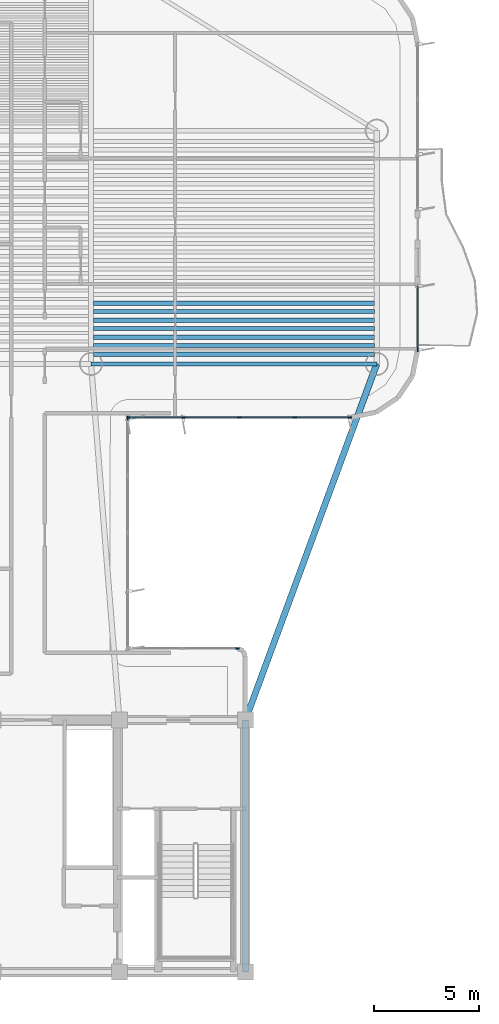
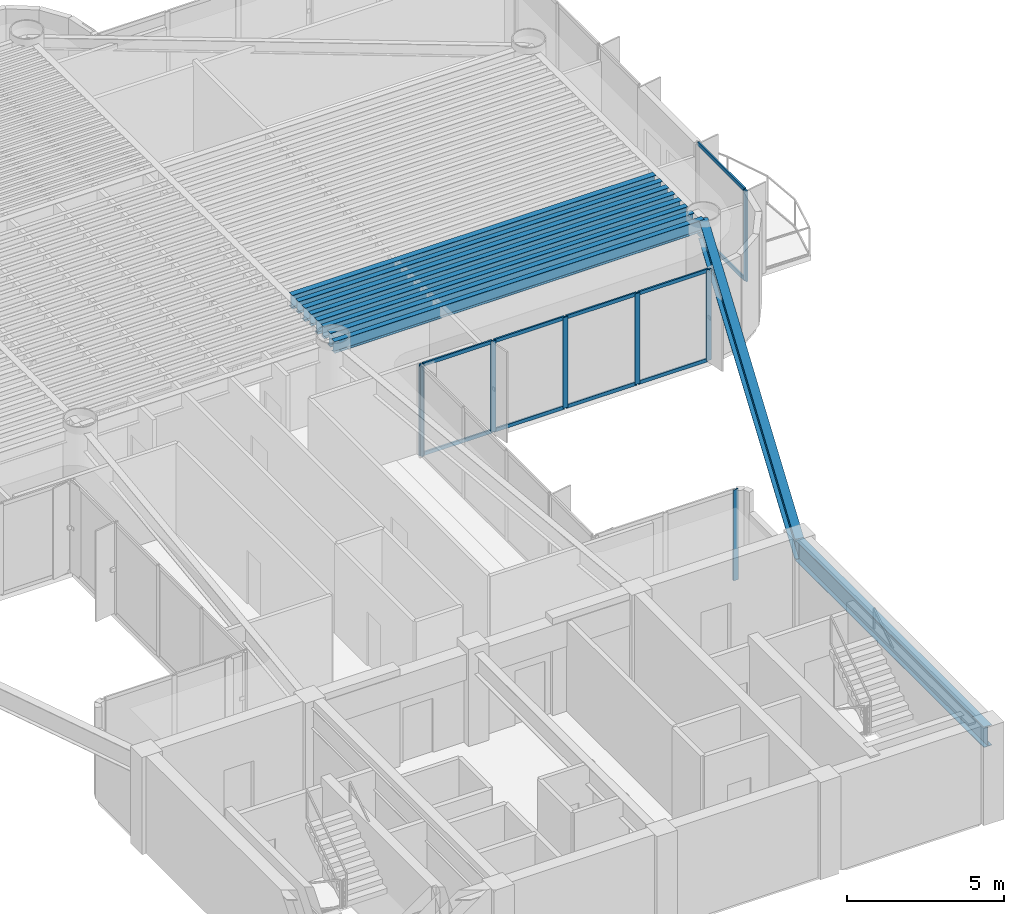
# One storey, part 4 of 15: 18 members, 10 beams, 4 elements without a shape of their own.
"""IFC4 building model written with IfcOpenShell, lengths in metres."""

from ifc_helpers import new_model, si_unit, direction, frame, origin, origin_2d, place, context, subcontext, project, spatial, rectangle, i_section, extrude, source, transform, mapped, material, layer, layer_set, material_profile, profile_set, type_object, element, aggregate, save


model = new_model("IFC4")

# Units and contexts
model_context = context("Model", 3, precision=1e-05, world=origin(), true_north=direction((0.0, 1.0)))
body_context = subcontext(model_context, "Body", "Model", "MODEL_VIEW")
ifc_project = project(units=[si_unit("LENGTHUNIT", "METRE"), si_unit("AREAUNIT", "SQUARE_METRE"), si_unit("VOLUMEUNIT", "CUBIC_METRE"), si_unit("PLANEANGLEUNIT", "RADIAN"), si_unit("MASSUNIT", "GRAM", prefix="KILO")], contexts=[model_context])

# Site, building, storey
site_placement = place(None, origin())
site = spatial("IfcSite", under=ifc_project, at=site_placement, CompositionType="ELEMENT")
building_placement = place(site_placement, origin())
building = spatial("IfcBuilding", under=site, at=building_placement, Name="Brelvock Crest Care Tower", CompositionType="ELEMENT")
storey_placement = place(building_placement, frame((0.0, 0.0, 171.5400390625)))
storey = spatial("IfcBuildingStorey", under=building, at=storey_placement, Name="L43", CompositionType="ELEMENT", Elevation=171.5400390625)

# Beams
ifc_material_1 = material(Name="Steel Grade 350", Category="steel")
ifc_material_profile_1 = material_profile(ifc_material_1, i_section(OverallWidth=0.300048828125, OverallDepth=0.800048828125, WebThickness=0.013916015625, FlangeThickness=0.02197265625, at=origin_2d()), Name="800WB192")
ifc_profile_set_1 = profile_set([ifc_material_profile_1], Name="Steel Grade 350")
beam_type_1 = type_object("IfcBeamType", Name="BM-G5", PredefinedType="BEAM", material=ifc_profile_set_1)
shared_shape_1 = source(origin(), body_context, "Body", "SweptSolid", [
    extrude(i_section(OverallWidth=0.300048828125, OverallDepth=0.800048828125, WebThickness=0.013916015625, FlangeThickness=0.02197265625, at=origin_2d()), origin(), (0.0, 0.0, 1.0), 12.0),
])
beam_1_placement = place(storey_placement, frame((48.0, 6.0, 3.1298828125), z_axis=(0.0, 1.0, 0.0), x_axis=(-1.0, 0.0, 0.0)))
element("IfcBeam", 1, at=beam_1_placement, inside=storey, type_object=beam_type_1, Name="BM-COREX-L43-5", PredefinedType="BEAM", context=body_context, shape_type="MappedRepresentation", body=[
    mapped(shared_shape_1, transform((0.0, 0.0, 0.0), x_axis=(1.0, 0.0, 0.0), y_axis=(0.0, 1.0, 0.0), z_axis=(0.0, 0.0, 1.0), scale=1.0)),
])
ifc_material_profile_2 = material_profile(ifc_material_1, i_section(OverallWidth=0.208984375, OverallDepth=0.532958984375, WebThickness=0.01025390625, FlangeThickness=0.015625, FilletRadius=0.013916015625, at=origin_2d()), Name="530UB92.4")
ifc_profile_set_2 = profile_set([ifc_material_profile_2], Name="Steel Grade 350")
beam_type_2 = type_object("IfcBeamType", Name="BM-G2", PredefinedType="BEAM", material=ifc_profile_set_2)
shared_shape_2 = source(origin(), body_context, "Body", "SweptSolid", [
    extrude(i_section(OverallWidth=0.208984375, OverallDepth=0.532958984375, WebThickness=0.01025390625, FlangeThickness=0.015625, FilletRadius=0.013916015625, at=origin_2d()), origin(), (0.0, 0.0, 1.0), 13.3701171875),
])
for number, where, z_axis, x_axis, name in (
    (2, (40.764892578125, 35.416259765625, 3.263427734375), (1.0, 0.0, 0.0), (0.0, 1.0, 0.0), "BM-JE-L43-1"),
    (3, (40.764892578125, 36.2265625, 3.263427734375), (1.0, 0.0, 0.0), (0.0, 1.0, 0.0), "BM-JE-L43-3"),
    (4, (40.764892578125, 37.036865234375, 3.263427734375), (1.0, 0.0, 0.0), (0.0, 1.0, 0.0), "BM-JE-L43-5"),
    (5, (40.764892578125, 37.84716796875, 3.263427734375), (1.0, 0.0, 0.0), (0.0, 1.0, 0.0), "BM-JE-L43-7"),
):
    element("IfcBeam", number, at=place(storey_placement, frame(where, z_axis=z_axis, x_axis=x_axis)), inside=storey, type_object=beam_type_2, Name=name, PredefinedType="BEAM", context=body_context, shape_type="MappedRepresentation", body=[
        mapped(shared_shape_2, transform((0.0, 0.0, 0.0), x_axis=(1.0, 0.0, 0.0), y_axis=(0.0, 1.0, 0.0), z_axis=(0.0, 0.0, 1.0), scale=1.0)),
    ])
ifc_material_profile_3 = material_profile(ifc_material_1, i_section(OverallWidth=0.19091796875, OverallDepth=0.4599609375, WebThickness=0.010009765625, FlangeThickness=0.01611328125, FilletRadius=0.011474609375, at=origin_2d()), Name="460UB82.1")
ifc_profile_set_3 = profile_set([ifc_material_profile_3], Name="Steel Grade 350")
beam_type_3 = type_object("IfcBeamType", Name="BM-G3", PredefinedType="BEAM", material=ifc_profile_set_3)
shared_shape_3 = source(origin(), body_context, "Body", "SweptSolid", [
    extrude(i_section(OverallWidth=0.19091796875, OverallDepth=0.4599609375, WebThickness=0.010009765625, FlangeThickness=0.01611328125, FilletRadius=0.011474609375, at=origin_2d()), origin(), (0.0, 0.0, 1.0), 13.3701171875),
])
for number, where, z_axis, x_axis, name in (
    (6, (40.764892578125, 35.8212890625, 3.300048828125), (1.0, 0.0, 0.0), (0.0, 1.0, 0.0), "BM-JE-L43-2"),
    (7, (40.764892578125, 36.631591796875, 3.300048828125), (1.0, 0.0, 0.0), (0.0, 1.0, 0.0), "BM-JE-L43-4"),
    (8, (40.764892578125, 37.44189453125, 3.300048828125), (1.0, 0.0, 0.0), (0.0, 1.0, 0.0), "BM-JE-L43-6"),
):
    element("IfcBeam", number, at=place(storey_placement, frame(where, z_axis=z_axis, x_axis=x_axis)), inside=storey, type_object=beam_type_3, Name=name, PredefinedType="BEAM", context=body_context, shape_type="MappedRepresentation", body=[
        mapped(shared_shape_3, transform((0.0, 0.0, 0.0), x_axis=(1.0, 0.0, 0.0), y_axis=(0.0, 1.0, 0.0), z_axis=(0.0, 0.0, 1.0), scale=1.0)),
    ])
ifc_material_profile_4 = material_profile(ifc_material_1, i_section(OverallWidth=0.19091796875, OverallDepth=0.4599609375, WebThickness=0.010009765625, FlangeThickness=0.01611328125, FilletRadius=0.011474609375, at=origin_2d()), Name="460UB82.1")
ifc_profile_set_4 = profile_set([ifc_material_profile_4], Name="Steel Grade 350")
beam_type_4 = type_object("IfcBeamType", Name="BM-SP2", PredefinedType="SPANDREL", material=ifc_profile_set_4)
shared_shape_4 = source(origin(), body_context, "Body", "SweptSolid", [
    extrude(i_section(OverallWidth=0.19091796875, OverallDepth=0.4599609375, WebThickness=0.010009765625, FlangeThickness=0.01611328125, FilletRadius=0.011474609375, at=origin_2d()), origin(), (0.0, 0.0, 1.0), 13.60009765625),
])
beam_2_placement = place(storey_placement, frame((40.64990234375, 34.949951171875, 3.300048828125), z_axis=(1.0, 0.0, 0.0), x_axis=(0.0, 1.0, 0.0)))
element("IfcBeam", 9, at=beam_2_placement, inside=storey, type_object=beam_type_4, Name="BM-TWR-L43-04", PredefinedType="SPANDREL", context=body_context, shape_type="MappedRepresentation", body=[
    mapped(shared_shape_4, transform((0.0, 0.0, 0.0), x_axis=(1.0, 0.0, 0.0), y_axis=(0.0, 1.0, 0.0), z_axis=(0.0, 0.0, 1.0), scale=1.0)),
])
shared_shape_5 = source(origin(), body_context, "Body", "SweptSolid", [
    extrude(i_section(OverallWidth=0.300048828125, OverallDepth=0.800048828125, WebThickness=0.013916015625, FlangeThickness=0.02197265625, at=origin_2d()), origin(), (0.0, 0.0, 1.0), 18.0654296875),
])
beam_3_placement = place(storey_placement, frame((48.0, 18.0, 3.1298828125), z_axis=(0.345962741309, 0.938248251597, 0.0), x_axis=(-0.938248251597, 0.345962741309, 0.0)))
element("IfcBeam", 10, at=beam_3_placement, inside=storey, type_object=beam_type_1, Name="BM-THRO-E-L43", PredefinedType="BEAM", context=body_context, shape_type="MappedRepresentation", body=[
    mapped(shared_shape_5, transform((0.0, 0.0, 0.0), x_axis=(1.0, 0.0, 0.0), y_axis=(0.0, 1.0, 0.0), z_axis=(0.0, 0.0, 1.0), scale=1.0)),
])

# Curtain wall, member
ifc_material_2 = material(Name="Dark Glass Double Glazed Low-E", Category="glass")
ifc_layer = layer(ifc_material_2, 0.22509765625, Name="CWS-4")
ifc_layer_set = layer_set([ifc_layer], Name="Dark Glass Double Glazed Low-E")
curtain_wall_type = type_object("IfcCurtainWallType", Name="CWS-4", PredefinedType="NOTDEFINED", material=ifc_layer_set)
curtain_wall_1_placement = place(storey_placement, origin())
curtain_wall_1 = element("IfcCurtainWall", 11, at=curtain_wall_1_placement, inside=storey, type_object=curtain_wall_type, Name="L43 Curtain Wall E39B", PredefinedType="NOTDEFINED")
ifc_material_3 = material(Name="Aluminium 6063-T6", Category="aluminium")
ifc_material_profile_5 = material_profile(ifc_material_3, rectangle(XDim=0.06005859375, YDim=0.179931640625, at=origin_2d()), Name="ALU60x180")
ifc_profile_set_5 = profile_set([ifc_material_profile_5], Name="Aluminium 6063-T6")
member_type_1 = type_object("IfcMemberType", Name="CWM-2", PredefinedType="MULLION", material=ifc_profile_set_5)
shared_shape_6 = source(origin(), body_context, "Body", "SweptSolid", [
    extrude(rectangle(XDim=0.06005859375, YDim=0.179931640625, at=origin_2d()), origin(), (0.0, 0.0, 1.0), 3.530029296875),
])
member_1_placement = place(storey_placement, frame((56.199951171875, 35.6298828125, 0.0), z_axis=(0.0, 0.0, 1.0), x_axis=(1.0, 0.0, 0.0)))
member_1 = element("IfcMember", 12, at=member_1_placement, type_object=member_type_1, Name="CW-4 mullion 2", PredefinedType="MULLION", context=body_context, shape_type="MappedRepresentation", body=[
    mapped(shared_shape_6, transform((0.0, 0.0, 0.0), x_axis=(1.0, 0.0, 0.0), y_axis=(0.0, 1.0, 0.0), z_axis=(0.0, 0.0, 1.0), scale=1.0)),
])

# Curtain wall, members
curtain_wall_2_placement = place(storey_placement, origin())
curtain_wall_2 = element("IfcCurtainWall", 13, at=curtain_wall_2_placement, inside=storey, type_object=curtain_wall_type, Name="L43 Curtain Wall E44", PredefinedType="NOTDEFINED")
member_2_placement = place(storey_placement, frame((52.969970703125, 32.39990234375, 0.0), z_axis=(0.0, 0.0, 1.0), x_axis=(0.0, -1.0, 0.0)))
member_2 = element("IfcMember", 14, at=member_2_placement, type_object=member_type_1, Name="CW-4 mullion 1", PredefinedType="MULLION", context=body_context, shape_type="MappedRepresentation", body=[
    mapped(shared_shape_6, transform((0.0, 0.0, 0.0), x_axis=(1.0, 0.0, 0.0), y_axis=(0.0, 1.0, 0.0), z_axis=(0.0, 0.0, 1.0), scale=1.0)),
])
member_3_placement = place(storey_placement, frame((50.35009765625, 32.39990234375, 0.0), z_axis=(0.0, 0.0, 1.0), x_axis=(0.0, -1.0, 0.0)))
member_3 = element("IfcMember", 15, at=member_3_placement, type_object=member_type_1, Name="CW-4 mullion 2", PredefinedType="MULLION", context=body_context, shape_type="MappedRepresentation", body=[
    mapped(shared_shape_6, transform((0.0, 0.0, 0.0), x_axis=(1.0, 0.0, 0.0), y_axis=(0.0, 1.0, 0.0), z_axis=(0.0, 0.0, 1.0), scale=1.0)),
])
member_4_placement = place(storey_placement, frame((47.699951171875, 32.39990234375, 0.0), z_axis=(0.0, 0.0, 1.0), x_axis=(0.0, -1.0, 0.0)))
member_4 = element("IfcMember", 16, at=member_4_placement, type_object=member_type_1, Name="CW-4 mullion 3", PredefinedType="MULLION", context=body_context, shape_type="MappedRepresentation", body=[
    mapped(shared_shape_6, transform((0.0, 0.0, 0.0), x_axis=(1.0, 0.0, 0.0), y_axis=(0.0, 1.0, 0.0), z_axis=(0.0, 0.0, 1.0), scale=1.0)),
])
member_5_placement = place(storey_placement, frame((45.050048828125, 32.39990234375, 0.0), z_axis=(0.0, 0.0, 1.0), x_axis=(0.0, -1.0, 0.0)))
member_5 = element("IfcMember", 17, at=member_5_placement, type_object=member_type_1, Name="CW-4 mullion 4", PredefinedType="MULLION", context=body_context, shape_type="MappedRepresentation", body=[
    mapped(shared_shape_6, transform((0.0, 0.0, 0.0), x_axis=(1.0, 0.0, 0.0), y_axis=(0.0, 1.0, 0.0), z_axis=(0.0, 0.0, 1.0), scale=1.0)),
])
member_6_placement = place(storey_placement, frame((42.429931640625, 32.39990234375, 0.0), z_axis=(0.0, 0.0, 1.0), x_axis=(0.0, -1.0, 0.0)))
member_6 = element("IfcMember", 18, at=member_6_placement, type_object=member_type_1, Name="CW-4 mullion 5", PredefinedType="MULLION", context=body_context, shape_type="MappedRepresentation", body=[
    mapped(shared_shape_6, transform((0.0, 0.0, 0.0), x_axis=(1.0, 0.0, 0.0), y_axis=(0.0, 1.0, 0.0), z_axis=(0.0, 0.0, 1.0), scale=1.0)),
])

# Curtain wall, member
curtain_wall_3_placement = place(storey_placement, origin())
curtain_wall_3 = element("IfcCurtainWall", 19, at=curtain_wall_3_placement, inside=storey, type_object=curtain_wall_type, Name="L43 Curtain Wall E45", PredefinedType="NOTDEFINED")
member_7_placement = place(storey_placement, frame((42.39990234375, 32.3701171875, 0.0), z_axis=(0.0, 0.0, 1.0), x_axis=(1.0, 0.0, 0.0)))
member_7 = element("IfcMember", 20, at=member_7_placement, type_object=member_type_1, Name="CW-4 mullion 1", PredefinedType="MULLION", context=body_context, shape_type="MappedRepresentation", body=[
    mapped(shared_shape_6, transform((0.0, 0.0, 0.0), x_axis=(1.0, 0.0, 0.0), y_axis=(0.0, 1.0, 0.0), z_axis=(0.0, 0.0, 1.0), scale=1.0)),
])
aggregate(curtain_wall_3, [member_7])

curtain_wall_4_placement = place(storey_placement, origin())
curtain_wall_4 = element("IfcCurtainWall", 21, at=curtain_wall_4_placement, inside=storey, type_object=curtain_wall_type, Name="L43 Curtain Wall E46", PredefinedType="NOTDEFINED")
member_8_placement = place(storey_placement, frame((47.6201171875, 21.39990234375, 0.0), z_axis=(0.0, 0.0, 1.0), x_axis=(0.0, 1.0, 0.0)))
member_8 = element("IfcMember", 22, at=member_8_placement, type_object=member_type_1, Name="CW-4 mullion 3", PredefinedType="MULLION", context=body_context, shape_type="MappedRepresentation", body=[
    mapped(shared_shape_6, transform((0.0, 0.0, 0.0), x_axis=(1.0, 0.0, 0.0), y_axis=(0.0, 1.0, 0.0), z_axis=(0.0, 0.0, 1.0), scale=1.0)),
])
aggregate(curtain_wall_4, [member_8])

# Member
ifc_material_profile_6 = material_profile(ifc_material_3, rectangle(XDim=0.06005859375, YDim=0.139892578125, at=origin_2d()), Name="ALU60x140")
ifc_profile_set_6 = profile_set([ifc_material_profile_6], Name="Aluminium 6063-T6")
member_type_2 = type_object("IfcMemberType", Name="CWT-2", PredefinedType="USERDEFINED", material=ifc_profile_set_6)
shared_shape_7 = source(origin(), body_context, "Body", "SweptSolid", [
    extrude(rectangle(XDim=0.06005859375, YDim=0.139892578125, at=origin_2d()), origin(), (0.0, 0.0, 1.0), 2.56005859375),
])
member_9_placement = place(storey_placement, frame((52.93994140625, 32.39990234375, 0.030029296875), z_axis=(-1.0, 0.0, 0.0), x_axis=(0.0, -1.0, 0.0)))
member_9 = element("IfcMember", 23, at=member_9_placement, type_object=member_type_2, Name="CW-4 transom 1.1", ObjectType="TRANSOM", PredefinedType="USERDEFINED", context=body_context, shape_type="MappedRepresentation", body=[
    mapped(shared_shape_7, transform((0.0, 0.0, 0.0), x_axis=(1.0, 0.0, 0.0), y_axis=(0.0, 1.0, 0.0), z_axis=(0.0, 0.0, 1.0), scale=1.0)),
])

member_10_placement = place(storey_placement, frame((52.93994140625, 32.39990234375, 3.5), z_axis=(-1.0, 0.0, 0.0), x_axis=(0.0, -1.0, 0.0)))
member_10 = element("IfcMember", 24, at=member_10_placement, type_object=member_type_2, Name="CW-4 transom 1.2", ObjectType="TRANSOM", PredefinedType="USERDEFINED", context=body_context, shape_type="MappedRepresentation", body=[
    mapped(shared_shape_7, transform((0.0, 0.0, 0.0), x_axis=(1.0, 0.0, 0.0), y_axis=(0.0, 1.0, 0.0), z_axis=(0.0, 0.0, 1.0), scale=1.0)),
])

member_11_placement = place(storey_placement, frame((45.02001953125, 32.39990234375, 0.030029296875), z_axis=(-1.0, 0.0, 0.0), x_axis=(0.0, -1.0, 0.0)))
member_11 = element("IfcMember", 25, at=member_11_placement, type_object=member_type_2, Name="CW-4 transom 4.1", ObjectType="TRANSOM", PredefinedType="USERDEFINED", context=body_context, shape_type="MappedRepresentation", body=[
    mapped(shared_shape_7, transform((0.0, 0.0, 0.0), x_axis=(1.0, 0.0, 0.0), y_axis=(0.0, 1.0, 0.0), z_axis=(0.0, 0.0, 1.0), scale=1.0)),
])

member_12_placement = place(storey_placement, frame((45.02001953125, 32.39990234375, 3.5), z_axis=(-1.0, 0.0, 0.0), x_axis=(0.0, -1.0, 0.0)))
member_12 = element("IfcMember", 26, at=member_12_placement, type_object=member_type_2, Name="CW-4 transom 4.2", ObjectType="TRANSOM", PredefinedType="USERDEFINED", context=body_context, shape_type="MappedRepresentation", body=[
    mapped(shared_shape_7, transform((0.0, 0.0, 0.0), x_axis=(1.0, 0.0, 0.0), y_axis=(0.0, 1.0, 0.0), z_axis=(0.0, 0.0, 1.0), scale=1.0)),
])

shared_shape_8 = source(origin(), body_context, "Body", "SweptSolid", [
    extrude(rectangle(XDim=0.06005859375, YDim=0.139892578125, at=origin_2d()), origin(), (0.0, 0.0, 1.0), 2.58984375),
])
member_13_placement = place(storey_placement, frame((47.669921875, 32.39990234375, 0.030029296875), z_axis=(-1.0, 0.0, 0.0), x_axis=(0.0, -1.0, 0.0)))
member_13 = element("IfcMember", 27, at=member_13_placement, type_object=member_type_2, Name="CW-4 transom 3.1", ObjectType="TRANSOM", PredefinedType="USERDEFINED", context=body_context, shape_type="MappedRepresentation", body=[
    mapped(shared_shape_8, transform((0.0, 0.0, 0.0), x_axis=(1.0, 0.0, 0.0), y_axis=(0.0, 1.0, 0.0), z_axis=(0.0, 0.0, 1.0), scale=1.0)),
])

member_14_placement = place(storey_placement, frame((47.669921875, 32.39990234375, 3.5), z_axis=(-1.0, 0.0, 0.0), x_axis=(0.0, -1.0, 0.0)))
member_14 = element("IfcMember", 28, at=member_14_placement, type_object=member_type_2, Name="CW-4 transom 3.2", ObjectType="TRANSOM", PredefinedType="USERDEFINED", context=body_context, shape_type="MappedRepresentation", body=[
    mapped(shared_shape_8, transform((0.0, 0.0, 0.0), x_axis=(1.0, 0.0, 0.0), y_axis=(0.0, 1.0, 0.0), z_axis=(0.0, 0.0, 1.0), scale=1.0)),
])

shared_shape_9 = source(origin(), body_context, "Body", "SweptSolid", [
    extrude(rectangle(XDim=0.06005859375, YDim=0.139892578125, at=origin_2d()), origin(), (0.0, 0.0, 1.0), 2.590087890625),
])
member_15_placement = place(storey_placement, frame((50.320068359375, 32.39990234375, 0.030029296875), z_axis=(-1.0, 0.0, 0.0), x_axis=(0.0, -1.0, 0.0)))
member_15 = element("IfcMember", 29, at=member_15_placement, type_object=member_type_2, Name="CW-4 transom 2.1", ObjectType="TRANSOM", PredefinedType="USERDEFINED", context=body_context, shape_type="MappedRepresentation", body=[
    mapped(shared_shape_9, transform((0.0, 0.0, 0.0), x_axis=(1.0, 0.0, 0.0), y_axis=(0.0, 1.0, 0.0), z_axis=(0.0, 0.0, 1.0), scale=1.0)),
])

member_16_placement = place(storey_placement, frame((50.320068359375, 32.39990234375, 3.5), z_axis=(-1.0, 0.0, 0.0), x_axis=(0.0, -1.0, 0.0)))
member_16 = element("IfcMember", 30, at=member_16_placement, type_object=member_type_2, Name="CW-4 transom 2.2", ObjectType="TRANSOM", PredefinedType="USERDEFINED", context=body_context, shape_type="MappedRepresentation", body=[
    mapped(shared_shape_9, transform((0.0, 0.0, 0.0), x_axis=(1.0, 0.0, 0.0), y_axis=(0.0, 1.0, 0.0), z_axis=(0.0, 0.0, 1.0), scale=1.0)),
])

aggregate(curtain_wall_2, [member_2, member_3, member_4, member_5, member_6, member_9, member_10, member_15, member_16, member_13, member_14, member_11, member_12])

shared_shape_10 = source(origin(), body_context, "Body", "SweptSolid", [
    extrude(rectangle(XDim=0.06005859375, YDim=0.139892578125, at=origin_2d()), origin(), (0.0, 0.0, 1.0), 2.97998046875),
])
member_17_placement = place(storey_placement, frame((56.199951171875, 38.639892578125, 0.030029296875), z_axis=(0.0, -1.0, 0.0), x_axis=(1.0, 0.0, 0.0)))
member_17 = element("IfcMember", 31, at=member_17_placement, type_object=member_type_2, Name="CW-4 transom 1.1", ObjectType="TRANSOM", PredefinedType="USERDEFINED", context=body_context, shape_type="MappedRepresentation", body=[
    mapped(shared_shape_10, transform((0.0, 0.0, 0.0), x_axis=(1.0, 0.0, 0.0), y_axis=(0.0, 1.0, 0.0), z_axis=(0.0, 0.0, 1.0), scale=1.0)),
])

member_18_placement = place(storey_placement, frame((56.199951171875, 38.639892578125, 3.5), z_axis=(0.0, -1.0, 0.0), x_axis=(1.0, 0.0, 0.0)))
member_18 = element("IfcMember", 32, at=member_18_placement, type_object=member_type_2, Name="CW-4 transom 1.2", ObjectType="TRANSOM", PredefinedType="USERDEFINED", context=body_context, shape_type="MappedRepresentation", body=[
    mapped(shared_shape_10, transform((0.0, 0.0, 0.0), x_axis=(1.0, 0.0, 0.0), y_axis=(0.0, 1.0, 0.0), z_axis=(0.0, 0.0, 1.0), scale=1.0)),
])

aggregate(curtain_wall_1, [member_1, member_17, member_18])

save(model, "model.ifc")
